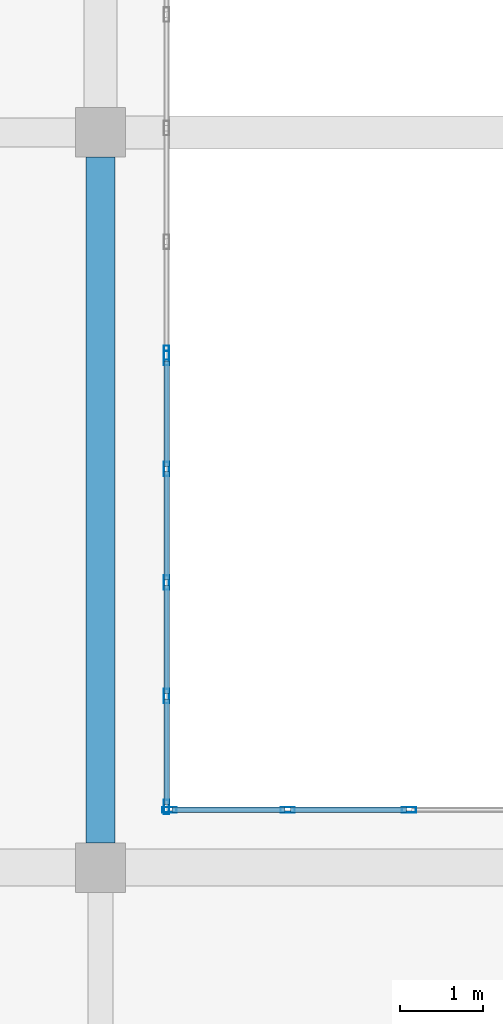
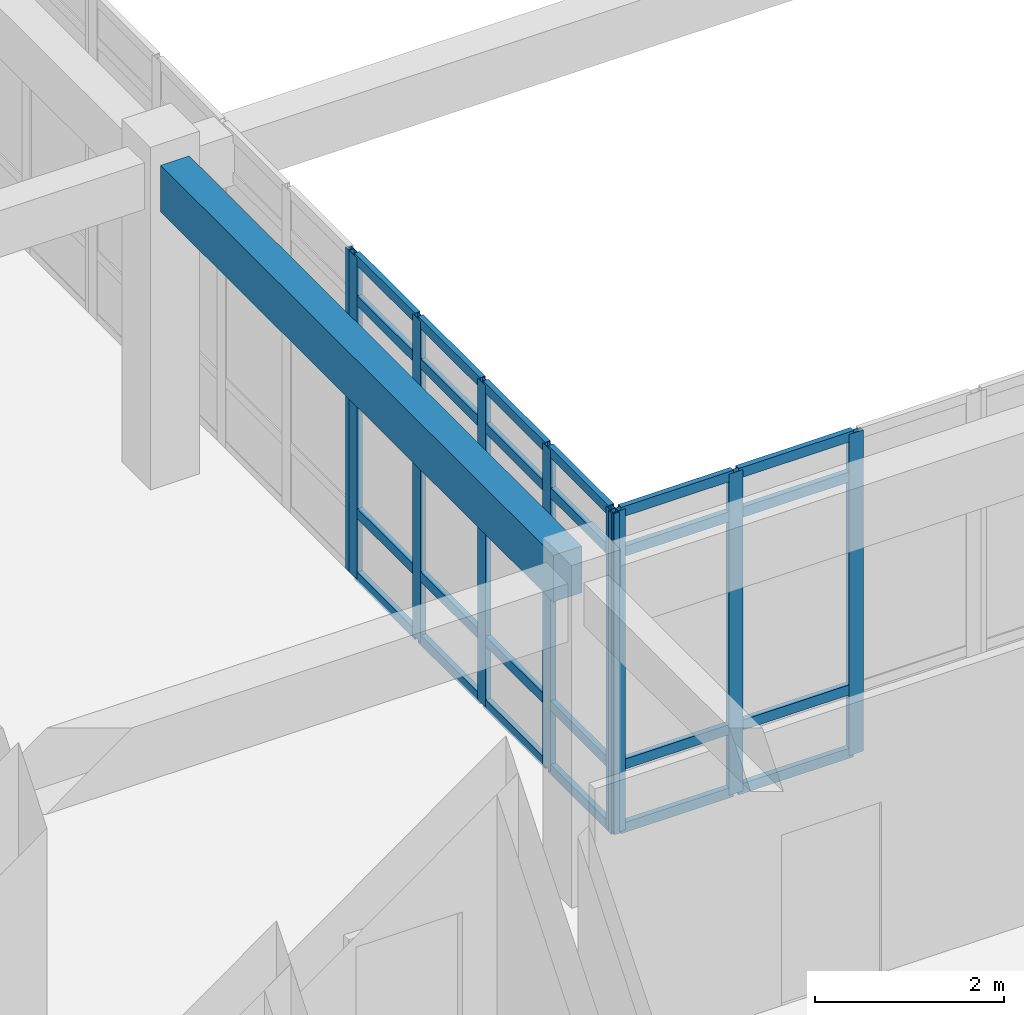
# One storey, part 70 of 142: 33 members, 1 beam, 3 elements without a shape of their own.
"""IFC4 building model written with IfcOpenShell, lengths in metres."""

from ifc_helpers import new_model, si_unit, direction, frame, origin, origin_2d, place, context, subcontext, project, spatial, rectangle, hollow_rectangle, extrude, material, layer, layer_set, material_profile, profile_set, type_object, element, aggregate, save


model = new_model("IFC4")

# Units and contexts
model_context = context("Model", 3, precision=1e-05, world=origin(), true_north=direction((0.0, 1.0)))
body_context = subcontext(model_context, "Body", "Model", "MODEL_VIEW")
ifc_project = project(units=[si_unit("LENGTHUNIT", "METRE"), si_unit("AREAUNIT", "SQUARE_METRE"), si_unit("VOLUMEUNIT", "CUBIC_METRE"), si_unit("PLANEANGLEUNIT", "RADIAN"), si_unit("MASSUNIT", "GRAM", prefix="KILO")], contexts=[model_context])

# Site, building, storey
site_placement = place(None, origin())
site = spatial("IfcSite", under=ifc_project, at=site_placement, CompositionType="ELEMENT")
building_placement = place(site_placement, origin())
building = spatial("IfcBuilding", under=site, at=building_placement, Name="Valcora Specialist Clinic", CompositionType="ELEMENT")
storey_placement = place(building_placement, frame((0.0, 0.0, 5.10009765625)))
storey = spatial("IfcBuildingStorey", under=building, at=storey_placement, Name="L01", CompositionType="ELEMENT", Elevation=5.10009765625)

# Beam
ifc_material_1 = material(Name="Concrete C40/50", Category="concrete")
ifc_material_profile_1 = material_profile(ifc_material_1, rectangle(XDim=0.35009765625, YDim=0.60009765625, at=origin_2d()), Name="RC-BM-350X600")
ifc_profile_set_1 = profile_set([ifc_material_profile_1], Name="Concrete C40/50")
beam_type = type_object("IfcBeamType", Name="TY-BM-RC350X600", PredefinedType="BEAM", material=ifc_profile_set_1)
beam_placement = place(storey_placement, frame((76.0, 81.60009765625, 3.844970703125), z_axis=(0.0, 1.0, 0.0), x_axis=(-1.0, 0.0, 0.0)))
element("IfcBeam", 1, at=beam_placement, inside=storey, type_object=beam_type, Name="Beam BM-L01-0666", PredefinedType="BEAM", context=body_context, shape_type="SweptSolid", body=[
    extrude(rectangle(XDim=0.35009765625, YDim=0.60009765625, at=origin_2d()), origin(), (0.0, 0.0, 1.0), 8.2998046875),
])

# Curtain wall, members
ifc_material_2 = material(Name="Anodized Bronze Aluminium 6063-T6", Category="aluminium")
ifc_layer = layer(ifc_material_2, 0.175048828125)
ifc_layer_set = layer_set([ifc_layer], Name="Anodized Bronze Aluminium 6063-T6")
curtain_wall_type = type_object("IfcCurtainWallType", Name="TY-CW-CRT15", PredefinedType="NOTDEFINED", material=ifc_layer_set)
curtain_wall_1_placement = place(storey_placement, origin())
curtain_wall_1 = element("IfcCurtainWall", 2, at=curtain_wall_1_placement, inside=storey, type_object=curtain_wall_type, Name="Curtain wall CW-L01-061", PredefinedType="NOTDEFINED")
ifc_material_profile_2 = material_profile(ifc_material_2, hollow_rectangle(XDim=0.06494140625, YDim=0.175048828125, WallThickness=0.00390625, at=origin_2d()), Name="AL-MUL-65X175")
ifc_profile_set_2 = profile_set([ifc_material_profile_2], Name="Anodized Bronze Aluminium 6063-T6")
member_type_1 = type_object("IfcMemberType", Name="TY-CWM-65X175", PredefinedType="MULLION", material=ifc_profile_set_2)
member_1_placement = place(storey_placement, frame((76.83251953125, 82.0, 0.0), z_axis=(0.0, 0.0, 1.0), x_axis=(0.0, 1.0, 0.0)))
member_1 = element("IfcMember", 3, at=member_1_placement, type_object=member_type_1, Name="CW-CRT-15 mullion 1", PredefinedType="MULLION", context=body_context, shape_type="SweptSolid", body=[
    extrude(hollow_rectangle(XDim=0.06494140625, YDim=0.175048828125, WallThickness=0.00390625, at=origin_2d()), origin(), (0.0, 0.0, 1.0), 4.14501953125),
])
member_2_placement = place(storey_placement, frame((78.2666015625, 82.0, 0.0), z_axis=(0.0, 0.0, 1.0), x_axis=(0.0, 1.0, 0.0)))
member_2 = element("IfcMember", 4, at=member_2_placement, type_object=member_type_1, Name="CW-CRT-15 mullion 2", PredefinedType="MULLION", context=body_context, shape_type="SweptSolid", body=[
    extrude(hollow_rectangle(XDim=0.06494140625, YDim=0.175048828125, WallThickness=0.00390625, at=origin_2d()), origin(), (0.0, 0.0, 1.0), 4.14501953125),
])
member_3_placement = place(storey_placement, frame((79.7333984375, 82.0, 0.0), z_axis=(0.0, 0.0, 1.0), x_axis=(0.0, 1.0, 0.0)))
member_3 = element("IfcMember", 5, at=member_3_placement, type_object=member_type_1, Name="CW-CRT-15 mullion 3", PredefinedType="MULLION", context=body_context, shape_type="SweptSolid", body=[
    extrude(hollow_rectangle(XDim=0.06494140625, YDim=0.175048828125, WallThickness=0.00390625, at=origin_2d()), origin(), (0.0, 0.0, 1.0), 4.14501953125),
])

# Curtain wall, member
curtain_wall_2_placement = place(storey_placement, origin())
curtain_wall_2 = element("IfcCurtainWall", 6, at=curtain_wall_2_placement, inside=storey, type_object=curtain_wall_type, Name="Curtain wall CW-L01-071", PredefinedType="NOTDEFINED")
member_4_placement = place(storey_placement, frame((76.800048828125, 87.532470703125, 0.0), z_axis=(0.0, 0.0, 1.0), x_axis=(1.0, 0.0, 0.0)))
member_4 = element("IfcMember", 7, at=member_4_placement, type_object=member_type_1, Name="CW-CRT-15 mullion 5", PredefinedType="MULLION", context=body_context, shape_type="SweptSolid", body=[
    extrude(hollow_rectangle(XDim=0.06494140625, YDim=0.175048828125, WallThickness=0.00390625, at=origin_2d()), origin(), (0.0, 0.0, 1.0), 4.14501953125),
])
aggregate(curtain_wall_2, [member_4])

# Curtain wall, members
curtain_wall_3_placement = place(storey_placement, origin())
curtain_wall_3 = element("IfcCurtainWall", 8, at=curtain_wall_3_placement, inside=storey, type_object=curtain_wall_type, Name="Curtain wall CW-L01-072", PredefinedType="NOTDEFINED")
member_5_placement = place(storey_placement, frame((76.800048828125, 87.467529296875, 0.0), z_axis=(0.0, 0.0, 1.0), x_axis=(1.0, 0.0, 0.0)))
member_5 = element("IfcMember", 9, at=member_5_placement, type_object=member_type_1, Name="CW-CRT-15 mullion 1", PredefinedType="MULLION", context=body_context, shape_type="SweptSolid", body=[
    extrude(hollow_rectangle(XDim=0.06494140625, YDim=0.175048828125, WallThickness=0.00390625, at=origin_2d()), origin(), (0.0, 0.0, 1.0), 4.14501953125),
])
member_6_placement = place(storey_placement, frame((76.800048828125, 86.125, 0.0), z_axis=(0.0, 0.0, 1.0), x_axis=(1.0, 0.0, 0.0)))
member_6 = element("IfcMember", 10, at=member_6_placement, type_object=member_type_1, Name="CW-CRT-15 mullion 2", PredefinedType="MULLION", context=body_context, shape_type="SweptSolid", body=[
    extrude(hollow_rectangle(XDim=0.06494140625, YDim=0.175048828125, WallThickness=0.00390625, at=origin_2d()), origin(), (0.0, 0.0, 1.0), 4.14501953125),
])
member_7_placement = place(storey_placement, frame((76.800048828125, 84.75, 0.0), z_axis=(0.0, 0.0, 1.0), x_axis=(1.0, 0.0, 0.0)))
member_7 = element("IfcMember", 11, at=member_7_placement, type_object=member_type_1, Name="CW-CRT-15 mullion 3", PredefinedType="MULLION", context=body_context, shape_type="SweptSolid", body=[
    extrude(hollow_rectangle(XDim=0.06494140625, YDim=0.175048828125, WallThickness=0.00390625, at=origin_2d()), origin(), (0.0, 0.0, 1.0), 4.14501953125),
])
member_8_placement = place(storey_placement, frame((76.800048828125, 83.375, 0.0), z_axis=(0.0, 0.0, 1.0), x_axis=(1.0, 0.0, 0.0)))
member_8 = element("IfcMember", 12, at=member_8_placement, type_object=member_type_1, Name="CW-CRT-15 mullion 4", PredefinedType="MULLION", context=body_context, shape_type="SweptSolid", body=[
    extrude(hollow_rectangle(XDim=0.06494140625, YDim=0.175048828125, WallThickness=0.00390625, at=origin_2d()), origin(), (0.0, 0.0, 1.0), 4.14501953125),
])
member_9_placement = place(storey_placement, frame((76.800048828125, 82.032470703125, 0.0), z_axis=(0.0, 0.0, 1.0), x_axis=(1.0, 0.0, 0.0)))
member_9 = element("IfcMember", 13, at=member_9_placement, type_object=member_type_1, Name="CW-CRT-15 mullion 5", PredefinedType="MULLION", context=body_context, shape_type="SweptSolid", body=[
    extrude(hollow_rectangle(XDim=0.06494140625, YDim=0.175048828125, WallThickness=0.00390625, at=origin_2d()), origin(), (0.0, 0.0, 1.0), 4.14501953125),
])

# Member
ifc_material_profile_3 = material_profile(ifc_material_2, hollow_rectangle(XDim=0.06494140625, YDim=0.1298828125, WallThickness=0.00390625, at=origin_2d()), Name="AL-TRN-65X130")
ifc_profile_set_3 = profile_set([ifc_material_profile_3], Name="Anodized Bronze Aluminium 6063-T6")
member_type_2 = type_object("IfcMemberType", Name="TY-CWT-65X130", PredefinedType="USERDEFINED", material=ifc_profile_set_3)
member_10_placement = place(storey_placement, frame((76.864990234375, 82.0, 0.032470703125), z_axis=(1.0, 0.0, 0.0), x_axis=(0.0, 1.0, 0.0)))
member_10 = element("IfcMember", 14, at=member_10_placement, type_object=member_type_2, Name="CW-CRT-15 transom 1.1", ObjectType="TRANSOM", PredefinedType="USERDEFINED", context=body_context, shape_type="SweptSolid", body=[
    extrude(hollow_rectangle(XDim=0.06494140625, YDim=0.1298828125, WallThickness=0.00390625, at=origin_2d()), origin(), (0.0, 0.0, 1.0), 1.369140625),
])

member_11_placement = place(storey_placement, frame((76.864990234375, 82.0, 0.849853515625), z_axis=(1.0, 0.0, 0.0), x_axis=(0.0, 1.0, 0.0)))
member_11 = element("IfcMember", 15, at=member_11_placement, type_object=member_type_2, Name="CW-CRT-15 transom 1.2", ObjectType="TRANSOM", PredefinedType="USERDEFINED", context=body_context, shape_type="SweptSolid", body=[
    extrude(hollow_rectangle(XDim=0.06494140625, YDim=0.1298828125, WallThickness=0.00390625, at=origin_2d()), origin(), (0.0, 0.0, 1.0), 1.369140625),
])

member_12_placement = place(storey_placement, frame((76.864990234375, 82.0, 3.594970703125), z_axis=(1.0, 0.0, 0.0), x_axis=(0.0, 1.0, 0.0)))
member_12 = element("IfcMember", 16, at=member_12_placement, type_object=member_type_2, Name="CW-CRT-15 transom 1.3", ObjectType="TRANSOM", PredefinedType="USERDEFINED", context=body_context, shape_type="SweptSolid", body=[
    extrude(hollow_rectangle(XDim=0.06494140625, YDim=0.1298828125, WallThickness=0.00390625, at=origin_2d()), origin(), (0.0, 0.0, 1.0), 1.369140625),
])

member_13_placement = place(storey_placement, frame((76.864990234375, 82.0, 4.1123046875), z_axis=(1.0, 0.0, 0.0), x_axis=(0.0, 1.0, 0.0)))
member_13 = element("IfcMember", 17, at=member_13_placement, type_object=member_type_2, Name="CW-CRT-15 transom 1.4", ObjectType="TRANSOM", PredefinedType="USERDEFINED", context=body_context, shape_type="SweptSolid", body=[
    extrude(hollow_rectangle(XDim=0.06494140625, YDim=0.1298828125, WallThickness=0.00390625, at=origin_2d()), origin(), (0.0, 0.0, 1.0), 1.369140625),
])

member_14_placement = place(storey_placement, frame((78.299072265625, 82.0, 0.032470703125), z_axis=(1.0, 0.0, 0.0), x_axis=(0.0, 1.0, 0.0)))
member_14 = element("IfcMember", 18, at=member_14_placement, type_object=member_type_2, Name="CW-CRT-15 transom 2.1", ObjectType="TRANSOM", PredefinedType="USERDEFINED", context=body_context, shape_type="SweptSolid", body=[
    extrude(hollow_rectangle(XDim=0.06494140625, YDim=0.1298828125, WallThickness=0.00390625, at=origin_2d()), origin(), (0.0, 0.0, 1.0), 1.40185546875),
])

member_15_placement = place(storey_placement, frame((78.299072265625, 82.0, 0.849853515625), z_axis=(1.0, 0.0, 0.0), x_axis=(0.0, 1.0, 0.0)))
member_15 = element("IfcMember", 19, at=member_15_placement, type_object=member_type_2, Name="CW-CRT-15 transom 2.2", ObjectType="TRANSOM", PredefinedType="USERDEFINED", context=body_context, shape_type="SweptSolid", body=[
    extrude(hollow_rectangle(XDim=0.06494140625, YDim=0.1298828125, WallThickness=0.00390625, at=origin_2d()), origin(), (0.0, 0.0, 1.0), 1.40185546875),
])

member_16_placement = place(storey_placement, frame((78.299072265625, 82.0, 3.594970703125), z_axis=(1.0, 0.0, 0.0), x_axis=(0.0, 1.0, 0.0)))
member_16 = element("IfcMember", 20, at=member_16_placement, type_object=member_type_2, Name="CW-CRT-15 transom 2.3", ObjectType="TRANSOM", PredefinedType="USERDEFINED", context=body_context, shape_type="SweptSolid", body=[
    extrude(hollow_rectangle(XDim=0.06494140625, YDim=0.1298828125, WallThickness=0.00390625, at=origin_2d()), origin(), (0.0, 0.0, 1.0), 1.40185546875),
])

member_17_placement = place(storey_placement, frame((78.299072265625, 82.0, 4.1123046875), z_axis=(1.0, 0.0, 0.0), x_axis=(0.0, 1.0, 0.0)))
member_17 = element("IfcMember", 21, at=member_17_placement, type_object=member_type_2, Name="CW-CRT-15 transom 2.4", ObjectType="TRANSOM", PredefinedType="USERDEFINED", context=body_context, shape_type="SweptSolid", body=[
    extrude(hollow_rectangle(XDim=0.06494140625, YDim=0.1298828125, WallThickness=0.00390625, at=origin_2d()), origin(), (0.0, 0.0, 1.0), 1.40185546875),
])

aggregate(curtain_wall_1, [member_1, member_2, member_3, member_10, member_11, member_12, member_13, member_14, member_15, member_16, member_17])

member_18_placement = place(storey_placement, frame((76.800048828125, 87.43505859375, 0.032470703125), z_axis=(0.0, -1.0, 0.0), x_axis=(1.0, 0.0, 0.0)))
member_18 = element("IfcMember", 22, at=member_18_placement, type_object=member_type_2, Name="CW-CRT-15 transom 1.1", ObjectType="TRANSOM", PredefinedType="USERDEFINED", context=body_context, shape_type="SweptSolid", body=[
    extrude(hollow_rectangle(XDim=0.06494140625, YDim=0.1298828125, WallThickness=0.00390625, at=origin_2d()), origin(), (0.0, 0.0, 1.0), 1.277587890625),
])

member_19_placement = place(storey_placement, frame((76.800048828125, 87.43505859375, 0.849853515625), z_axis=(0.0, -1.0, 0.0), x_axis=(1.0, 0.0, 0.0)))
member_19 = element("IfcMember", 23, at=member_19_placement, type_object=member_type_2, Name="CW-CRT-15 transom 1.2", ObjectType="TRANSOM", PredefinedType="USERDEFINED", context=body_context, shape_type="SweptSolid", body=[
    extrude(hollow_rectangle(XDim=0.06494140625, YDim=0.1298828125, WallThickness=0.00390625, at=origin_2d()), origin(), (0.0, 0.0, 1.0), 1.277587890625),
])

member_20_placement = place(storey_placement, frame((76.800048828125, 87.43505859375, 3.594970703125), z_axis=(0.0, -1.0, 0.0), x_axis=(1.0, 0.0, 0.0)))
member_20 = element("IfcMember", 24, at=member_20_placement, type_object=member_type_2, Name="CW-CRT-15 transom 1.3", ObjectType="TRANSOM", PredefinedType="USERDEFINED", context=body_context, shape_type="SweptSolid", body=[
    extrude(hollow_rectangle(XDim=0.06494140625, YDim=0.1298828125, WallThickness=0.00390625, at=origin_2d()), origin(), (0.0, 0.0, 1.0), 1.277587890625),
])

member_21_placement = place(storey_placement, frame((76.800048828125, 87.43505859375, 4.1123046875), z_axis=(0.0, -1.0, 0.0), x_axis=(1.0, 0.0, 0.0)))
member_21 = element("IfcMember", 25, at=member_21_placement, type_object=member_type_2, Name="CW-CRT-15 transom 1.4", ObjectType="TRANSOM", PredefinedType="USERDEFINED", context=body_context, shape_type="SweptSolid", body=[
    extrude(hollow_rectangle(XDim=0.06494140625, YDim=0.1298828125, WallThickness=0.00390625, at=origin_2d()), origin(), (0.0, 0.0, 1.0), 1.277587890625),
])

member_22_placement = place(storey_placement, frame((76.800048828125, 86.092529296875, 0.032470703125), z_axis=(0.0, -1.0, 0.0), x_axis=(1.0, 0.0, 0.0)))
member_22 = element("IfcMember", 26, at=member_22_placement, type_object=member_type_2, Name="CW-CRT-15 transom 2.1", ObjectType="TRANSOM", PredefinedType="USERDEFINED", context=body_context, shape_type="SweptSolid", body=[
    extrude(hollow_rectangle(XDim=0.06494140625, YDim=0.1298828125, WallThickness=0.00390625, at=origin_2d()), origin(), (0.0, 0.0, 1.0), 1.31005859375),
])

member_23_placement = place(storey_placement, frame((76.800048828125, 86.092529296875, 0.849853515625), z_axis=(0.0, -1.0, 0.0), x_axis=(1.0, 0.0, 0.0)))
member_23 = element("IfcMember", 27, at=member_23_placement, type_object=member_type_2, Name="CW-CRT-15 transom 2.2", ObjectType="TRANSOM", PredefinedType="USERDEFINED", context=body_context, shape_type="SweptSolid", body=[
    extrude(hollow_rectangle(XDim=0.06494140625, YDim=0.1298828125, WallThickness=0.00390625, at=origin_2d()), origin(), (0.0, 0.0, 1.0), 1.31005859375),
])

member_24_placement = place(storey_placement, frame((76.800048828125, 86.092529296875, 3.594970703125), z_axis=(0.0, -1.0, 0.0), x_axis=(1.0, 0.0, 0.0)))
member_24 = element("IfcMember", 28, at=member_24_placement, type_object=member_type_2, Name="CW-CRT-15 transom 2.3", ObjectType="TRANSOM", PredefinedType="USERDEFINED", context=body_context, shape_type="SweptSolid", body=[
    extrude(hollow_rectangle(XDim=0.06494140625, YDim=0.1298828125, WallThickness=0.00390625, at=origin_2d()), origin(), (0.0, 0.0, 1.0), 1.31005859375),
])

member_25_placement = place(storey_placement, frame((76.800048828125, 86.092529296875, 4.1123046875), z_axis=(0.0, -1.0, 0.0), x_axis=(1.0, 0.0, 0.0)))
member_25 = element("IfcMember", 29, at=member_25_placement, type_object=member_type_2, Name="CW-CRT-15 transom 2.4", ObjectType="TRANSOM", PredefinedType="USERDEFINED", context=body_context, shape_type="SweptSolid", body=[
    extrude(hollow_rectangle(XDim=0.06494140625, YDim=0.1298828125, WallThickness=0.00390625, at=origin_2d()), origin(), (0.0, 0.0, 1.0), 1.31005859375),
])

member_26_placement = place(storey_placement, frame((76.800048828125, 84.717529296875, 0.032470703125), z_axis=(0.0, -1.0, 0.0), x_axis=(1.0, 0.0, 0.0)))
member_26 = element("IfcMember", 30, at=member_26_placement, type_object=member_type_2, Name="CW-CRT-15 transom 3.1", ObjectType="TRANSOM", PredefinedType="USERDEFINED", context=body_context, shape_type="SweptSolid", body=[
    extrude(hollow_rectangle(XDim=0.06494140625, YDim=0.1298828125, WallThickness=0.00390625, at=origin_2d()), origin(), (0.0, 0.0, 1.0), 1.31005859375),
])

member_27_placement = place(storey_placement, frame((76.800048828125, 84.717529296875, 0.849853515625), z_axis=(0.0, -1.0, 0.0), x_axis=(1.0, 0.0, 0.0)))
member_27 = element("IfcMember", 31, at=member_27_placement, type_object=member_type_2, Name="CW-CRT-15 transom 3.2", ObjectType="TRANSOM", PredefinedType="USERDEFINED", context=body_context, shape_type="SweptSolid", body=[
    extrude(hollow_rectangle(XDim=0.06494140625, YDim=0.1298828125, WallThickness=0.00390625, at=origin_2d()), origin(), (0.0, 0.0, 1.0), 1.31005859375),
])

member_28_placement = place(storey_placement, frame((76.800048828125, 84.717529296875, 3.594970703125), z_axis=(0.0, -1.0, 0.0), x_axis=(1.0, 0.0, 0.0)))
member_28 = element("IfcMember", 32, at=member_28_placement, type_object=member_type_2, Name="CW-CRT-15 transom 3.3", ObjectType="TRANSOM", PredefinedType="USERDEFINED", context=body_context, shape_type="SweptSolid", body=[
    extrude(hollow_rectangle(XDim=0.06494140625, YDim=0.1298828125, WallThickness=0.00390625, at=origin_2d()), origin(), (0.0, 0.0, 1.0), 1.31005859375),
])

member_29_placement = place(storey_placement, frame((76.800048828125, 84.717529296875, 4.1123046875), z_axis=(0.0, -1.0, 0.0), x_axis=(1.0, 0.0, 0.0)))
member_29 = element("IfcMember", 33, at=member_29_placement, type_object=member_type_2, Name="CW-CRT-15 transom 3.4", ObjectType="TRANSOM", PredefinedType="USERDEFINED", context=body_context, shape_type="SweptSolid", body=[
    extrude(hollow_rectangle(XDim=0.06494140625, YDim=0.1298828125, WallThickness=0.00390625, at=origin_2d()), origin(), (0.0, 0.0, 1.0), 1.31005859375),
])

member_30_placement = place(storey_placement, frame((76.800048828125, 83.342529296875, 0.032470703125), z_axis=(0.0, -1.0, 0.0), x_axis=(1.0, 0.0, 0.0)))
member_30 = element("IfcMember", 34, at=member_30_placement, type_object=member_type_2, Name="CW-CRT-15 transom 4.1", ObjectType="TRANSOM", PredefinedType="USERDEFINED", context=body_context, shape_type="SweptSolid", body=[
    extrude(hollow_rectangle(XDim=0.06494140625, YDim=0.1298828125, WallThickness=0.00390625, at=origin_2d()), origin(), (0.0, 0.0, 1.0), 1.277587890625),
])

member_31_placement = place(storey_placement, frame((76.800048828125, 83.342529296875, 0.849853515625), z_axis=(0.0, -1.0, 0.0), x_axis=(1.0, 0.0, 0.0)))
member_31 = element("IfcMember", 35, at=member_31_placement, type_object=member_type_2, Name="CW-CRT-15 transom 4.2", ObjectType="TRANSOM", PredefinedType="USERDEFINED", context=body_context, shape_type="SweptSolid", body=[
    extrude(hollow_rectangle(XDim=0.06494140625, YDim=0.1298828125, WallThickness=0.00390625, at=origin_2d()), origin(), (0.0, 0.0, 1.0), 1.277587890625),
])

member_32_placement = place(storey_placement, frame((76.800048828125, 83.342529296875, 3.594970703125), z_axis=(0.0, -1.0, 0.0), x_axis=(1.0, 0.0, 0.0)))
member_32 = element("IfcMember", 36, at=member_32_placement, type_object=member_type_2, Name="CW-CRT-15 transom 4.3", ObjectType="TRANSOM", PredefinedType="USERDEFINED", context=body_context, shape_type="SweptSolid", body=[
    extrude(hollow_rectangle(XDim=0.06494140625, YDim=0.1298828125, WallThickness=0.00390625, at=origin_2d()), origin(), (0.0, 0.0, 1.0), 1.277587890625),
])

member_33_placement = place(storey_placement, frame((76.800048828125, 83.342529296875, 4.1123046875), z_axis=(0.0, -1.0, 0.0), x_axis=(1.0, 0.0, 0.0)))
member_33 = element("IfcMember", 37, at=member_33_placement, type_object=member_type_2, Name="CW-CRT-15 transom 4.4", ObjectType="TRANSOM", PredefinedType="USERDEFINED", context=body_context, shape_type="SweptSolid", body=[
    extrude(hollow_rectangle(XDim=0.06494140625, YDim=0.1298828125, WallThickness=0.00390625, at=origin_2d()), origin(), (0.0, 0.0, 1.0), 1.277587890625),
])

aggregate(curtain_wall_3, [member_5, member_6, member_7, member_8, member_9, member_18, member_19, member_20, member_21, member_22, member_23, member_24, member_25, member_26, member_27, member_28, member_29, member_30, member_31, member_32, member_33])

save(model, "model.ifc")
